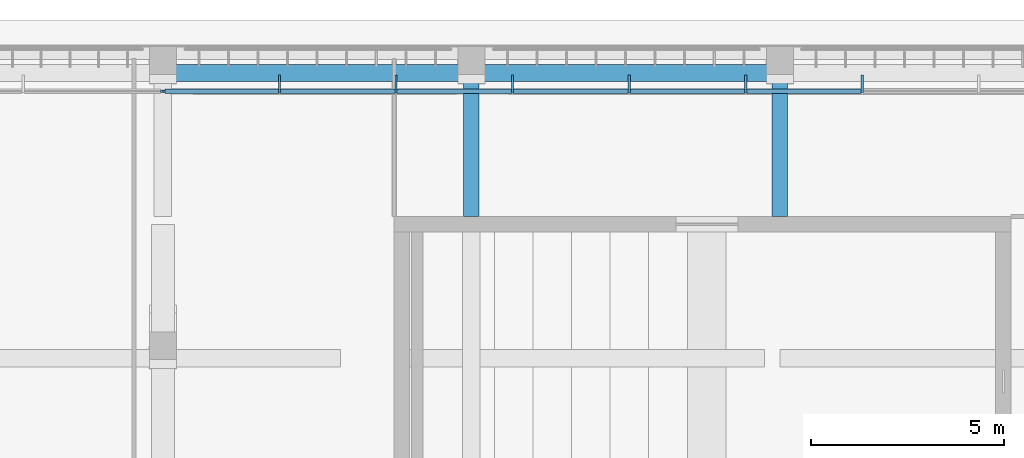
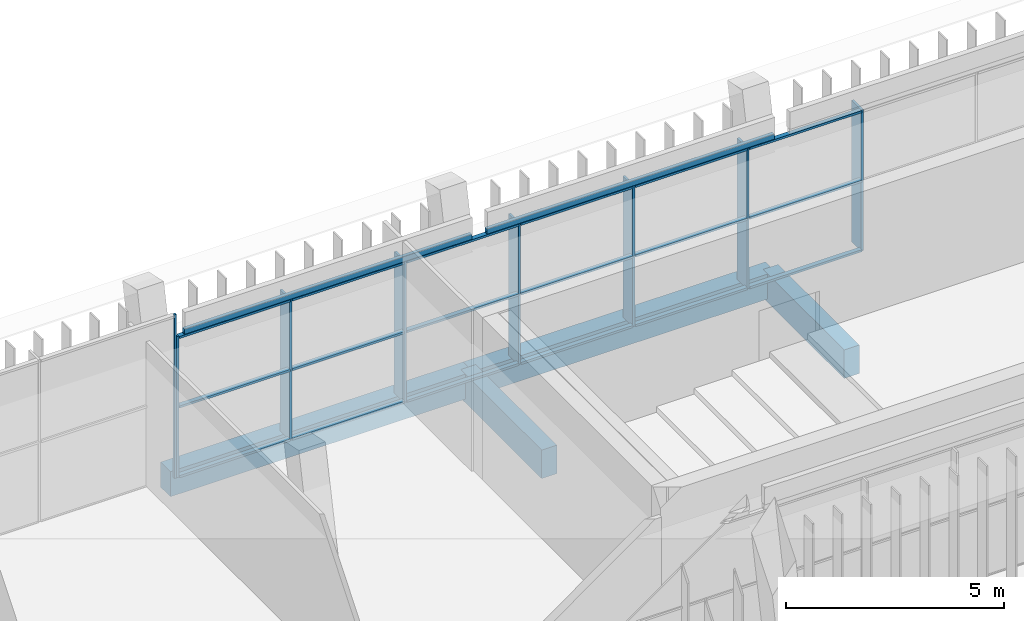
# One storey, part 27 of 74: 26 members, 6 beams, 2 elements without a shape of their own.
"""IFC4 building model written with IfcOpenShell, lengths in metres."""

from ifc_helpers import new_model, si_unit, direction, frame, origin, origin_2d, place, context, subcontext, project, spatial, rectangle, hollow_rectangle, extrude, material, material_profile, profile_set, type_object, element, aggregate, save


model = new_model("IFC4")

# Units and contexts
model_context = context("Model", 3, precision=1e-05, world=origin(), true_north=direction((0.0, 1.0)))
body_context = subcontext(model_context, "Body", "Model", "MODEL_VIEW")
ifc_project = project(units=[si_unit("LENGTHUNIT", "METRE"), si_unit("AREAUNIT", "SQUARE_METRE"), si_unit("VOLUMEUNIT", "CUBIC_METRE"), si_unit("PLANEANGLEUNIT", "RADIAN"), si_unit("MASSUNIT", "GRAM", prefix="KILO")], contexts=[model_context])

# Site, building, storey
site_placement = place(None, origin())
site = spatial("IfcSite", under=ifc_project, at=site_placement, CompositionType="ELEMENT")
building_placement = place(site_placement, origin())
building = spatial("IfcBuilding", under=site, at=building_placement, Name="Lantern Court Media Centre", CompositionType="ELEMENT")
storey_placement = place(building_placement, frame((0.0, 0.0, 19.199951171875)))
storey = spatial("IfcBuildingStorey", under=building, at=storey_placement, Name="L04", CompositionType="ELEMENT", Elevation=19.199951171875)

# Curtain wall, members
ifc_material_1 = material(Name="Curtain wall bay 3000")
curtain_wall_type = type_object("IfcCurtainWallType", Name="Curtain wall bay 3000", PredefinedType="NOTDEFINED", material=ifc_material_1)
curtain_wall_1_placement = place(storey_placement, origin())
curtain_wall_1 = element("IfcCurtainWall", 1, at=curtain_wall_1_placement, inside=storey, type_object=curtain_wall_type, Name="Curtain wall N outer L04", PredefinedType="NOTDEFINED")
ifc_material_2 = material(Name="Anodised aluminium", Category="aluminium")
ifc_material_profile_1 = material_profile(ifc_material_2, rectangle(XDim=0.449951171875, YDim=0.06005859375, at=origin_2d()), Name="AL 60x450")
ifc_profile_set_1 = profile_set([ifc_material_profile_1], Name="Anodised aluminium")
member_type_1 = type_object("IfcMemberType", Name="Curtain wall mullion 60x450", PredefinedType="MULLION", material=ifc_profile_set_1)
member_1_placement = place(storey_placement, frame((43.023193359375, 115.044921875, 0.0), z_axis=(0.0, 0.0, 1.0), x_axis=(0.0, 1.0, 0.0)))
member_1 = element("IfcMember", 2, at=member_1_placement, type_object=member_type_1, Name="CW1 mullion 2", PredefinedType="MULLION", context=body_context, shape_type="SweptSolid", body=[
    extrude(rectangle(XDim=0.449951171875, YDim=0.06005859375, at=origin_2d()), origin(), (0.0, 0.0, 1.0), 3.949951171875),
])
member_2_placement = place(storey_placement, frame((46.046142578125, 115.044921875, 0.0), z_axis=(0.0, 0.0, 1.0), x_axis=(0.0, 1.0, 0.0)))
member_2 = element("IfcMember", 3, at=member_2_placement, type_object=member_type_1, Name="CW1 mullion 3", PredefinedType="MULLION", context=body_context, shape_type="SweptSolid", body=[
    extrude(rectangle(XDim=0.449951171875, YDim=0.06005859375, at=origin_2d()), origin(), (0.0, 0.0, 1.0), 3.949951171875),
])
member_3_placement = place(storey_placement, frame((49.0693359375, 115.044921875, 0.0), z_axis=(0.0, 0.0, 1.0), x_axis=(0.0, 1.0, 0.0)))
member_3 = element("IfcMember", 4, at=member_3_placement, type_object=member_type_1, Name="CW1 mullion 4", PredefinedType="MULLION", context=body_context, shape_type="SweptSolid", body=[
    extrude(rectangle(XDim=0.449951171875, YDim=0.06005859375, at=origin_2d()), origin(), (0.0, 0.0, 1.0), 3.949951171875),
])
member_4_placement = place(storey_placement, frame((52.09228515625, 115.044921875, 0.0), z_axis=(0.0, 0.0, 1.0), x_axis=(0.0, 1.0, 0.0)))
member_4 = element("IfcMember", 5, at=member_4_placement, type_object=member_type_1, Name="CW1 mullion 5", PredefinedType="MULLION", context=body_context, shape_type="SweptSolid", body=[
    extrude(rectangle(XDim=0.449951171875, YDim=0.06005859375, at=origin_2d()), origin(), (0.0, 0.0, 1.0), 3.949951171875),
])
member_5_placement = place(storey_placement, frame((55.115478515625, 115.044921875, 0.0), z_axis=(0.0, 0.0, 1.0), x_axis=(0.0, 1.0, 0.0)))
member_5 = element("IfcMember", 6, at=member_5_placement, type_object=member_type_1, Name="CW1 mullion 6", PredefinedType="MULLION", context=body_context, shape_type="SweptSolid", body=[
    extrude(rectangle(XDim=0.449951171875, YDim=0.06005859375, at=origin_2d()), origin(), (0.0, 0.0, 1.0), 3.949951171875),
])
member_6_placement = place(storey_placement, frame((58.138427734375, 115.044921875, 0.0), z_axis=(0.0, 0.0, 1.0), x_axis=(0.0, 1.0, 0.0)))
member_6 = element("IfcMember", 7, at=member_6_placement, type_object=member_type_1, Name="CW1 mullion 7", PredefinedType="MULLION", context=body_context, shape_type="SweptSolid", body=[
    extrude(rectangle(XDim=0.449951171875, YDim=0.06005859375, at=origin_2d()), origin(), (0.0, 0.0, 1.0), 3.949951171875),
])

# Curtain wall, member
curtain_wall_2_placement = place(storey_placement, origin())
curtain_wall_2 = element("IfcCurtainWall", 8, at=curtain_wall_2_placement, inside=storey, type_object=curtain_wall_type, Name="Curtain wall N outer L04", PredefinedType="NOTDEFINED")
ifc_material_profile_2 = material_profile(ifc_material_2, rectangle(XDim=0.06005859375, YDim=0.06005859375, at=origin_2d()), Name="AL 60x60")
ifc_profile_set_2 = profile_set([ifc_material_profile_2], Name="Anodised aluminium")
member_type_2 = type_object("IfcMemberType", Name="Curtain wall mullion 60x60", PredefinedType="MULLION", material=ifc_profile_set_2)
member_7_placement = place(storey_placement, frame((39.969970703125, 114.85009765625, 0.0), z_axis=(0.0, 0.0, 1.0), x_axis=(0.0, 1.0, 0.0)))
member_7 = element("IfcMember", 9, at=member_7_placement, type_object=member_type_2, Name="CW1 mullion 3", PredefinedType="MULLION", context=body_context, shape_type="SweptSolid", body=[
    extrude(rectangle(XDim=0.06005859375, YDim=0.06005859375, at=origin_2d()), origin(), (0.0, 0.0, 1.0), 4.580078125),
])
aggregate(curtain_wall_2, [member_7])

# Member
member_8_placement = place(storey_placement, frame((40.030029296875, 114.85009765625, 0.0), z_axis=(0.0, 0.0, 1.0), x_axis=(0.0, 1.0, 0.0)))
member_8 = element("IfcMember", 10, at=member_8_placement, type_object=member_type_2, Name="CW1 mullion 1", PredefinedType="MULLION", context=body_context, shape_type="SweptSolid", body=[
    extrude(rectangle(XDim=0.06005859375, YDim=0.06005859375, at=origin_2d()), origin(), (0.0, 0.0, 1.0), 3.949951171875),
])

ifc_material_profile_3 = material_profile(ifc_material_2, rectangle(XDim=0.1201171875, YDim=0.06005859375, at=origin_2d()), Name="AL 60x120")
ifc_profile_set_3 = profile_set([ifc_material_profile_3], Name="Anodised aluminium")
member_type_3 = type_object("IfcMemberType", Name="Curtain wall transom 60x120", PredefinedType="USERDEFINED", material=ifc_profile_set_3)
member_9_placement = place(storey_placement, frame((40.06005859375, 114.85009765625, 0.030029296875), z_axis=(1.0, 0.0, 0.0), x_axis=(0.0, 1.0, 0.0)))
member_9 = element("IfcMember", 11, at=member_9_placement, type_object=member_type_3, Name="CW1 transom 1.1", ObjectType="TRANSOM", PredefinedType="USERDEFINED", context=body_context, shape_type="SweptSolid", body=[
    extrude(rectangle(XDim=0.1201171875, YDim=0.06005859375, at=origin_2d()), origin(), (0.0, 0.0, 1.0), 2.93310546875),
])

member_10_placement = place(storey_placement, frame((40.06005859375, 114.85009765625, 1.97509765625), z_axis=(1.0, 0.0, 0.0), x_axis=(0.0, 1.0, 0.0)))
member_10 = element("IfcMember", 12, at=member_10_placement, type_object=member_type_3, Name="CW1 transom 1.2", ObjectType="TRANSOM", PredefinedType="USERDEFINED", context=body_context, shape_type="SweptSolid", body=[
    extrude(rectangle(XDim=0.1201171875, YDim=0.06005859375, at=origin_2d()), origin(), (0.0, 0.0, 1.0), 2.93310546875),
])

member_11_placement = place(storey_placement, frame((40.06005859375, 114.85009765625, 3.920166015625), z_axis=(1.0, 0.0, 0.0), x_axis=(0.0, 1.0, 0.0)))
member_11 = element("IfcMember", 13, at=member_11_placement, type_object=member_type_3, Name="CW1 transom 1.3", ObjectType="TRANSOM", PredefinedType="USERDEFINED", context=body_context, shape_type="SweptSolid", body=[
    extrude(rectangle(XDim=0.1201171875, YDim=0.06005859375, at=origin_2d()), origin(), (0.0, 0.0, 1.0), 2.93310546875),
])

member_12_placement = place(storey_placement, frame((43.052978515625, 114.85009765625, 0.030029296875), z_axis=(1.0, 0.0, 0.0), x_axis=(0.0, 1.0, 0.0)))
member_12 = element("IfcMember", 14, at=member_12_placement, type_object=member_type_3, Name="CW1 transom 2.1", ObjectType="TRANSOM", PredefinedType="USERDEFINED", context=body_context, shape_type="SweptSolid", body=[
    extrude(rectangle(XDim=0.1201171875, YDim=0.06005859375, at=origin_2d()), origin(), (0.0, 0.0, 1.0), 2.963134765625),
])

member_13_placement = place(storey_placement, frame((43.052978515625, 114.85009765625, 1.97509765625), z_axis=(1.0, 0.0, 0.0), x_axis=(0.0, 1.0, 0.0)))
member_13 = element("IfcMember", 15, at=member_13_placement, type_object=member_type_3, Name="CW1 transom 2.2", ObjectType="TRANSOM", PredefinedType="USERDEFINED", context=body_context, shape_type="SweptSolid", body=[
    extrude(rectangle(XDim=0.1201171875, YDim=0.06005859375, at=origin_2d()), origin(), (0.0, 0.0, 1.0), 2.963134765625),
])

member_14_placement = place(storey_placement, frame((43.052978515625, 114.85009765625, 3.920166015625), z_axis=(1.0, 0.0, 0.0), x_axis=(0.0, 1.0, 0.0)))
member_14 = element("IfcMember", 16, at=member_14_placement, type_object=member_type_3, Name="CW1 transom 2.3", ObjectType="TRANSOM", PredefinedType="USERDEFINED", context=body_context, shape_type="SweptSolid", body=[
    extrude(rectangle(XDim=0.1201171875, YDim=0.06005859375, at=origin_2d()), origin(), (0.0, 0.0, 1.0), 2.963134765625),
])

member_15_placement = place(storey_placement, frame((46.076171875, 114.85009765625, 0.030029296875), z_axis=(1.0, 0.0, 0.0), x_axis=(0.0, 1.0, 0.0)))
member_15 = element("IfcMember", 17, at=member_15_placement, type_object=member_type_3, Name="CW1 transom 3.1", ObjectType="TRANSOM", PredefinedType="USERDEFINED", context=body_context, shape_type="SweptSolid", body=[
    extrude(rectangle(XDim=0.1201171875, YDim=0.06005859375, at=origin_2d()), origin(), (0.0, 0.0, 1.0), 2.963134765625),
])

member_16_placement = place(storey_placement, frame((46.076171875, 114.85009765625, 1.97509765625), z_axis=(1.0, 0.0, 0.0), x_axis=(0.0, 1.0, 0.0)))
member_16 = element("IfcMember", 18, at=member_16_placement, type_object=member_type_3, Name="CW1 transom 3.2", ObjectType="TRANSOM", PredefinedType="USERDEFINED", context=body_context, shape_type="SweptSolid", body=[
    extrude(rectangle(XDim=0.1201171875, YDim=0.06005859375, at=origin_2d()), origin(), (0.0, 0.0, 1.0), 2.963134765625),
])

member_17_placement = place(storey_placement, frame((46.076171875, 114.85009765625, 3.920166015625), z_axis=(1.0, 0.0, 0.0), x_axis=(0.0, 1.0, 0.0)))
member_17 = element("IfcMember", 19, at=member_17_placement, type_object=member_type_3, Name="CW1 transom 3.3", ObjectType="TRANSOM", PredefinedType="USERDEFINED", context=body_context, shape_type="SweptSolid", body=[
    extrude(rectangle(XDim=0.1201171875, YDim=0.06005859375, at=origin_2d()), origin(), (0.0, 0.0, 1.0), 2.963134765625),
])

member_18_placement = place(storey_placement, frame((49.09912109375, 114.85009765625, 0.030029296875), z_axis=(1.0, 0.0, 0.0), x_axis=(0.0, 1.0, 0.0)))
member_18 = element("IfcMember", 20, at=member_18_placement, type_object=member_type_3, Name="CW1 transom 4.1", ObjectType="TRANSOM", PredefinedType="USERDEFINED", context=body_context, shape_type="SweptSolid", body=[
    extrude(rectangle(XDim=0.1201171875, YDim=0.06005859375, at=origin_2d()), origin(), (0.0, 0.0, 1.0), 2.963134765625),
])

member_19_placement = place(storey_placement, frame((49.09912109375, 114.85009765625, 1.97509765625), z_axis=(1.0, 0.0, 0.0), x_axis=(0.0, 1.0, 0.0)))
member_19 = element("IfcMember", 21, at=member_19_placement, type_object=member_type_3, Name="CW1 transom 4.2", ObjectType="TRANSOM", PredefinedType="USERDEFINED", context=body_context, shape_type="SweptSolid", body=[
    extrude(rectangle(XDim=0.1201171875, YDim=0.06005859375, at=origin_2d()), origin(), (0.0, 0.0, 1.0), 2.963134765625),
])

member_20_placement = place(storey_placement, frame((49.09912109375, 114.85009765625, 3.920166015625), z_axis=(1.0, 0.0, 0.0), x_axis=(0.0, 1.0, 0.0)))
member_20 = element("IfcMember", 22, at=member_20_placement, type_object=member_type_3, Name="CW1 transom 4.3", ObjectType="TRANSOM", PredefinedType="USERDEFINED", context=body_context, shape_type="SweptSolid", body=[
    extrude(rectangle(XDim=0.1201171875, YDim=0.06005859375, at=origin_2d()), origin(), (0.0, 0.0, 1.0), 2.963134765625),
])

member_21_placement = place(storey_placement, frame((52.122314453125, 114.85009765625, 0.030029296875), z_axis=(1.0, 0.0, 0.0), x_axis=(0.0, 1.0, 0.0)))
member_21 = element("IfcMember", 23, at=member_21_placement, type_object=member_type_3, Name="CW1 transom 5.1", ObjectType="TRANSOM", PredefinedType="USERDEFINED", context=body_context, shape_type="SweptSolid", body=[
    extrude(rectangle(XDim=0.1201171875, YDim=0.06005859375, at=origin_2d()), origin(), (0.0, 0.0, 1.0), 2.963134765625),
])

member_22_placement = place(storey_placement, frame((52.122314453125, 114.85009765625, 1.97509765625), z_axis=(1.0, 0.0, 0.0), x_axis=(0.0, 1.0, 0.0)))
member_22 = element("IfcMember", 24, at=member_22_placement, type_object=member_type_3, Name="CW1 transom 5.2", ObjectType="TRANSOM", PredefinedType="USERDEFINED", context=body_context, shape_type="SweptSolid", body=[
    extrude(rectangle(XDim=0.1201171875, YDim=0.06005859375, at=origin_2d()), origin(), (0.0, 0.0, 1.0), 2.963134765625),
])

member_23_placement = place(storey_placement, frame((52.122314453125, 114.85009765625, 3.920166015625), z_axis=(1.0, 0.0, 0.0), x_axis=(0.0, 1.0, 0.0)))
member_23 = element("IfcMember", 25, at=member_23_placement, type_object=member_type_3, Name="CW1 transom 5.3", ObjectType="TRANSOM", PredefinedType="USERDEFINED", context=body_context, shape_type="SweptSolid", body=[
    extrude(rectangle(XDim=0.1201171875, YDim=0.06005859375, at=origin_2d()), origin(), (0.0, 0.0, 1.0), 2.963134765625),
])

member_24_placement = place(storey_placement, frame((55.145263671875, 114.85009765625, 0.030029296875), z_axis=(1.0, 0.0, 0.0), x_axis=(0.0, 1.0, 0.0)))
member_24 = element("IfcMember", 26, at=member_24_placement, type_object=member_type_3, Name="CW1 transom 6.1", ObjectType="TRANSOM", PredefinedType="USERDEFINED", context=body_context, shape_type="SweptSolid", body=[
    extrude(rectangle(XDim=0.1201171875, YDim=0.06005859375, at=origin_2d()), origin(), (0.0, 0.0, 1.0), 2.963134765625),
])

member_25_placement = place(storey_placement, frame((55.145263671875, 114.85009765625, 1.97509765625), z_axis=(1.0, 0.0, 0.0), x_axis=(0.0, 1.0, 0.0)))
member_25 = element("IfcMember", 27, at=member_25_placement, type_object=member_type_3, Name="CW1 transom 6.2", ObjectType="TRANSOM", PredefinedType="USERDEFINED", context=body_context, shape_type="SweptSolid", body=[
    extrude(rectangle(XDim=0.1201171875, YDim=0.06005859375, at=origin_2d()), origin(), (0.0, 0.0, 1.0), 2.963134765625),
])

member_26_placement = place(storey_placement, frame((55.145263671875, 114.85009765625, 3.920166015625), z_axis=(1.0, 0.0, 0.0), x_axis=(0.0, 1.0, 0.0)))
member_26 = element("IfcMember", 28, at=member_26_placement, type_object=member_type_3, Name="CW1 transom 6.3", ObjectType="TRANSOM", PredefinedType="USERDEFINED", context=body_context, shape_type="SweptSolid", body=[
    extrude(rectangle(XDim=0.1201171875, YDim=0.06005859375, at=origin_2d()), origin(), (0.0, 0.0, 1.0), 2.963134765625),
])

aggregate(curtain_wall_1, [member_8, member_1, member_2, member_3, member_4, member_5, member_6, member_9, member_10, member_11, member_12, member_13, member_14, member_15, member_16, member_17, member_18, member_19, member_20, member_21, member_22, member_23, member_24, member_25, member_26])

# Beams
ifc_material_3 = material(Name="Steel S355J2 (EN 10025-2)", Category="steel")
ifc_material_profile_4 = material_profile(ifc_material_3, hollow_rectangle(XDim=0.10009765625, YDim=0.14990234375, WallThickness=0.00634765625, InnerFilletRadius=0.00634765625, OuterFilletRadius=0.009521484375, at=origin_2d()), Name="Facade head lintel RHS 150x100x6.3")
ifc_profile_set_4 = profile_set([ifc_material_profile_4], Name="Steel S355J2 (EN 10025-2)")
beam_type_1 = type_object("IfcBeamType", Name="Facade head lintel RHS 150x100x6.3", PredefinedType="BEAM", material=ifc_profile_set_4)
for number, where, z_axis, x_axis, name in (
    (29, (40.199951171875, 114.85009765625, 4.025146484375), (1.0, 0.0, 0.0), (0.0, 1.0, 0.0), "Facade head lintel N L04"),
    (30, (48.199951171875, 114.85009765625, 4.025146484375), (1.0, 0.0, 0.0), (0.0, 1.0, 0.0), "Facade head lintel N L04"),
):
    element("IfcBeam", number, at=place(storey_placement, frame(where, z_axis=z_axis, x_axis=x_axis)), inside=storey, type_object=beam_type_1, Name=name, PredefinedType="BEAM", context=body_context, shape_type="SweptSolid", body=[
        extrude(hollow_rectangle(XDim=0.10009765625, YDim=0.14990234375, WallThickness=0.00634765625, InnerFilletRadius=0.00634765625, OuterFilletRadius=0.009521484375, at=origin_2d()), origin(), (0.0, 0.0, 1.0), 7.60009765625),
    ])
ifc_material_4 = material(Name="Concrete C35", Category="concrete")
ifc_material_profile_5 = material_profile(ifc_material_4, rectangle(XDim=0.39990234375, YDim=0.800048828125, at=origin_2d()), Name="RC 400x800")
ifc_profile_set_5 = profile_set([ifc_material_profile_5], Name="Concrete C35")
beam_type_2 = type_object("IfcBeamType", Name="RC BEAM 400x800", PredefinedType="BEAM", material=ifc_profile_set_5)
for number, where, z_axis, x_axis, name in (
    (31, (48.0, 111.60009765625, -0.39990234375), (0.0, 1.0, 0.0), (-1.0, 0.0, 0.0), "TB-N-L04-3-12"),
    (32, (56.0, 111.60009765625, -0.39990234375), (0.0, 1.0, 0.0), (-1.0, 0.0, 0.0), "TB-N-L04-4-11"),
):
    element("IfcBeam", number, at=place(storey_placement, frame(where, z_axis=z_axis, x_axis=x_axis)), inside=storey, type_object=beam_type_2, Name=name, PredefinedType="BEAM", context=body_context, shape_type="SweptSolid", body=[
        extrude(rectangle(XDim=0.39990234375, YDim=0.800048828125, at=origin_2d()), origin(), (0.0, 0.0, 1.0), 3.716552734375),
    ])
ifc_material_profile_6 = material_profile(ifc_material_4, rectangle(XDim=0.449951171875, YDim=0.699951171875, at=origin_2d()), Name="RC 450x700")
ifc_profile_set_6 = profile_set([ifc_material_profile_6], Name="Concrete C35")
beam_type_3 = type_object("IfcBeamType", Name="RC BEAM 450x700", PredefinedType="BEAM", material=ifc_profile_set_6)
for number, where, z_axis, x_axis, name in (
    (33, (40.0, 115.3271484375, -0.349853515625), (1.0, 0.0, 0.0), (0.0, 1.0, 0.0), "LB-N-L04-2-2"),
    (34, (48.0, 115.3271484375, -0.349853515625), (1.0, 0.0, 0.0), (0.0, 1.0, 0.0), "LB-N-L04-2-3"),
):
    element("IfcBeam", number, at=place(storey_placement, frame(where, z_axis=z_axis, x_axis=x_axis)), inside=storey, type_object=beam_type_3, Name=name, PredefinedType="BEAM", context=body_context, shape_type="SweptSolid", body=[
        extrude(rectangle(XDim=0.449951171875, YDim=0.699951171875, at=origin_2d()), origin(), (0.0, 0.0, 1.0), 8.0),
    ])

save(model, "model.ifc")
